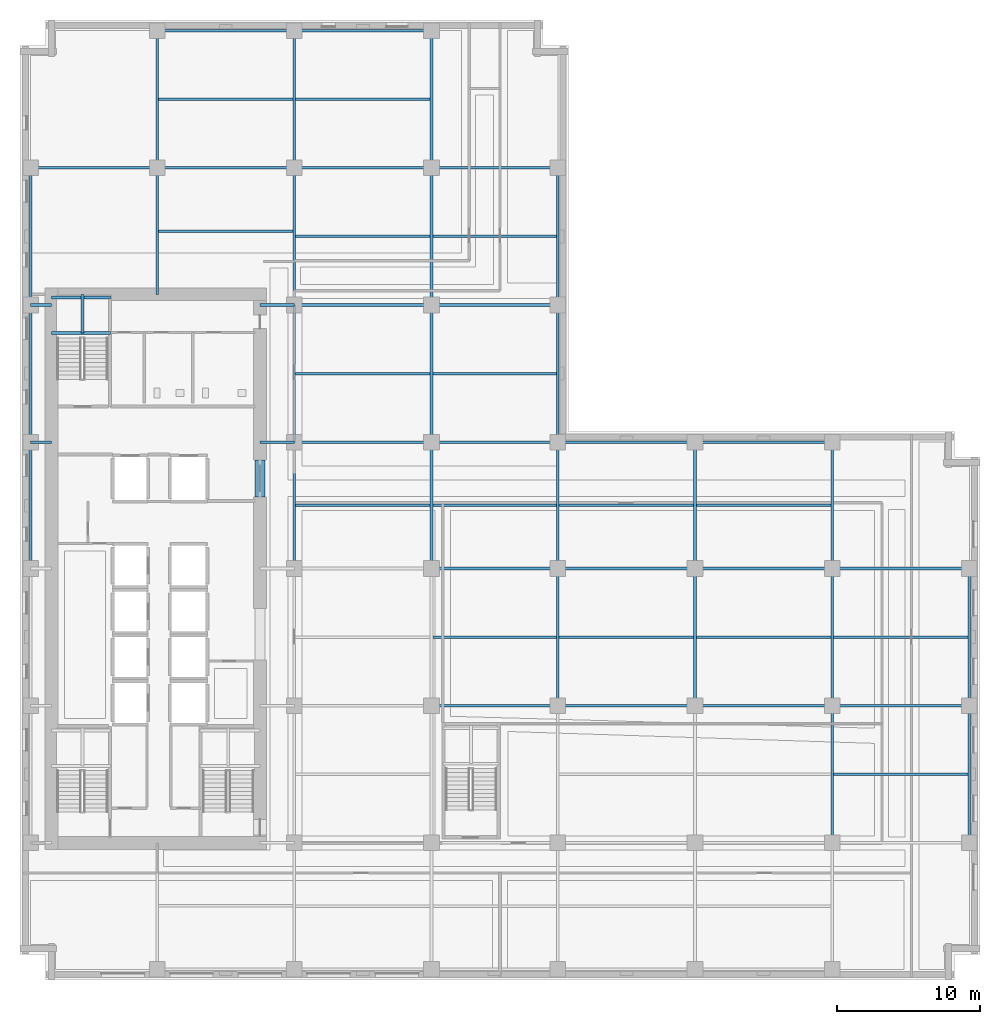
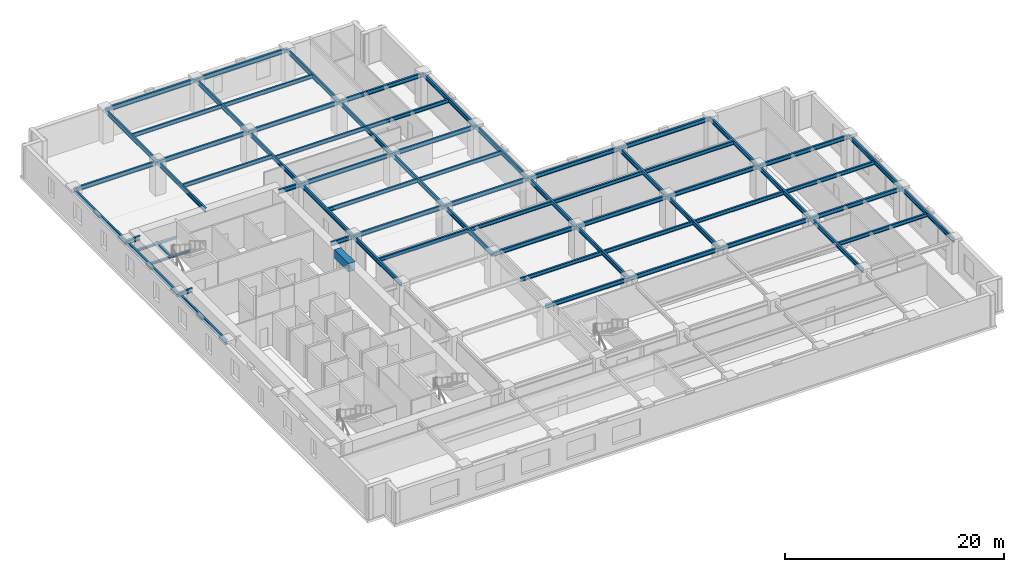
# One storey, part 2 of 13: 68 beams.
"""IFC4 building model written with IfcOpenShell, lengths in metres."""

from ifc_helpers import new_model, si_unit, direction, frame, origin, origin_2d, place, context, subcontext, project, spatial, rectangle, i_section, extrude, material, material_profile, profile_set, type_object, element, save


model = new_model("IFC4")

# Units and contexts
model_context = context("Model", 3, precision=1e-05, world=origin(), true_north=direction((0.0, 1.0)))
body_context = subcontext(model_context, "Body", "Model", "MODEL_VIEW")
ifc_project = project(units=[si_unit("LENGTHUNIT", "METRE"), si_unit("AREAUNIT", "SQUARE_METRE"), si_unit("VOLUMEUNIT", "CUBIC_METRE"), si_unit("PLANEANGLEUNIT", "RADIAN"), si_unit("MASSUNIT", "GRAM", prefix="KILO")], contexts=[model_context])

# Site, building, storey
site_placement = place(None, origin())
site = spatial("IfcSite", under=ifc_project, at=site_placement, CompositionType="ELEMENT")
building_placement = place(site_placement, origin())
building = spatial("IfcBuilding", under=site, at=building_placement, Name="Norrvale University Quadrangle", CompositionType="ELEMENT")
storey_placement = place(building_placement, frame((0.0, 0.0, 85.0)))
storey = spatial("IfcBuildingStorey", under=building, at=storey_placement, Name="L21", CompositionType="ELEMENT", Elevation=85.0)

# Beams
ifc_material_1 = material(Name="Steel 350W", Category="steel")
ifc_material_profile_1 = material_profile(ifc_material_1, i_section(OverallWidth=0.180908203125, OverallDepth=0.4169921875, WebThickness=0.010986328125, FlangeThickness=0.018310546875, FilletRadius=0.011962890625, at=origin_2d()), Name="Steel 350W")
ifc_profile_set_1 = profile_set([ifc_material_profile_1], Name="Steel 350W")
beam_type_1 = type_object("IfcBeamType", Name="Beam Atrium W410x85", PredefinedType="BEAM", material=ifc_profile_set_1)
beam_1_placement = place(storey_placement, frame((9.697021484375, 61.64990234375, 3.33154296875), z_axis=(1.0, 0.0, 0.0), x_axis=(0.0, 1.0, 0.0)))
element("IfcBeam", 1, at=beam_1_placement, inside=storey, type_object=beam_type_1, Name="Beam Atrium W410x85 BM-L21-J079", PredefinedType="BEAM", context=body_context, shape_type="SweptSolid", body=[
    extrude(i_section(OverallWidth=0.180908203125, OverallDepth=0.4169921875, WebThickness=0.010986328125, FlangeThickness=0.018310546875, FilletRadius=0.011962890625, at=origin_2d()), origin(), (0.0, 0.0, 1.0), 9.406005859375),
])
for number, where, z_axis, x_axis, name in (
    (2, (19.297119140625, 33.22509765625, 3.33154296875), (1.0, 0.0, 0.0), (0.0, 1.0, 0.0), "Beam Atrium W410x85 BM-L21-J083"),
    (3, (19.297119140625, 42.449951171875, 3.33154296875), (1.0, 0.0, 0.0), (0.0, 1.0, 0.0), "Beam Atrium W410x85 BM-L21-J084"),
    (4, (19.297119140625, 52.050048828125, 3.33154296875), (1.0, 0.0, 0.0), (0.0, 1.0, 0.0), "Beam Atrium W410x85 BM-L21-J085"),
    (5, (19.297119140625, 61.64990234375, 3.33154296875), (1.0, 0.0, 0.0), (0.0, 1.0, 0.0), "Beam Atrium W410x85 BM-L21-J086"),
):
    element("IfcBeam", number, at=place(storey_placement, frame(where, z_axis=z_axis, x_axis=x_axis)), inside=storey, type_object=beam_type_1, Name=name, PredefinedType="BEAM", context=body_context, shape_type="SweptSolid", body=[
        extrude(i_section(OverallWidth=0.180908203125, OverallDepth=0.4169921875, WebThickness=0.010986328125, FlangeThickness=0.018310546875, FilletRadius=0.011962890625, at=origin_2d()), origin(), (0.0, 0.0, 1.0), 9.40576171875),
    ])
for number, where, z_axis, x_axis, name in (
    (6, (28.89697265625, 24.0, 3.33154296875), (1.0, 0.0, 0.0), (0.0, 1.0, 0.0), "Beam Atrium W410x85 BM-L21-J088"),
    (7, (28.89697265625, 33.22509765625, 3.33154296875), (1.0, 0.0, 0.0), (0.0, 1.0, 0.0), "Beam Atrium W410x85 BM-L21-J089"),
    (8, (28.89697265625, 42.449951171875, 3.33154296875), (1.0, 0.0, 0.0), (0.0, 1.0, 0.0), "Beam Atrium W410x85 BM-L21-J090"),
    (9, (28.89697265625, 52.050048828125, 3.33154296875), (1.0, 0.0, 0.0), (0.0, 1.0, 0.0), "Beam Atrium W410x85 BM-L21-J091"),
):
    element("IfcBeam", number, at=place(storey_placement, frame(where, z_axis=z_axis, x_axis=x_axis)), inside=storey, type_object=beam_type_1, Name=name, PredefinedType="BEAM", context=body_context, shape_type="SweptSolid", body=[
        extrude(i_section(OverallWidth=0.180908203125, OverallDepth=0.4169921875, WebThickness=0.010986328125, FlangeThickness=0.018310546875, FilletRadius=0.011962890625, at=origin_2d()), origin(), (0.0, 0.0, 1.0), 8.656005859375),
    ])
for number, where, z_axis, x_axis, name in (
    (10, (37.7470703125, 24.0, 3.33154296875), (1.0, 0.0, 0.0), (0.0, 1.0, 0.0), "Beam Atrium W410x85 BM-L21-J094"),
    (11, (37.7470703125, 33.22509765625, 3.33154296875), (1.0, 0.0, 0.0), (0.0, 1.0, 0.0), "Beam Atrium W410x85 BM-L21-J095"),
    (12, (47.346923828125, 24.0, 3.33154296875), (1.0, 0.0, 0.0), (0.0, 1.0, 0.0), "Beam Atrium W410x85 BM-L21-J098"),
    (13, (47.346923828125, 33.22509765625, 3.33154296875), (1.0, 0.0, 0.0), (0.0, 1.0, 0.0), "Beam Atrium W410x85 BM-L21-J099"),
    (14, (56.947021484375, 14.39990234375, 3.33154296875), (1.0, 0.0, 0.0), (0.0, 1.0, 0.0), "Beam Atrium W410x85 BM-L21-J100"),
    (15, (56.947021484375, 24.0, 3.33154296875), (1.0, 0.0, 0.0), (0.0, 1.0, 0.0), "Beam Atrium W410x85 BM-L21-J101"),
    (16, (9.697021484375, 52.39990234375, 3.33154296875), (1.0, 0.0, 0.0), (0.0, 1.0, 0.0), "Beam Atrium W410x85 BM-L21-JCN105"),
):
    element("IfcBeam", number, at=place(storey_placement, frame(where, z_axis=z_axis, x_axis=x_axis)), inside=storey, type_object=beam_type_1, Name=name, PredefinedType="BEAM", context=body_context, shape_type="SweptSolid", body=[
        extrude(i_section(OverallWidth=0.180908203125, OverallDepth=0.4169921875, WebThickness=0.010986328125, FlangeThickness=0.018310546875, FilletRadius=0.011962890625, at=origin_2d()), origin(), (0.0, 0.0, 1.0), 9.406005859375),
    ])
ifc_material_2 = material(Name="Concrete C80/95", Category="concrete")
ifc_material_profile_2 = material_profile(ifc_material_2, rectangle(XDim=0.699951171875, YDim=0.949951171875, at=origin_2d()), Name="Concrete C80/95")
ifc_profile_set_2 = profile_set([ifc_material_profile_2], Name="Concrete C80/95")
beam_type_2 = type_object("IfcBeamType", Name="Beam Core Link 700x950", PredefinedType="LINTEL", material=ifc_profile_set_2)
beam_2_placement = place(storey_placement, frame((16.800048828125, 33.800048828125, 3.06494140625), z_axis=(0.0, 1.0, 0.0), x_axis=(-1.0, 0.0, 0.0)))
element("IfcBeam", 17, at=beam_2_placement, inside=storey, type_object=beam_type_2, Name="Core Coupling Lintel Beam L21-2", PredefinedType="LINTEL", context=body_context, shape_type="SweptSolid", body=[
    extrude(rectangle(XDim=0.699951171875, YDim=0.949951171875, at=origin_2d()), origin(), (0.0, 0.0, 1.0), 2.599853515625),
])
ifc_material_profile_3 = material_profile(ifc_material_1, i_section(OverallWidth=0.194091796875, OverallDepth=0.468994140625, WebThickness=0.0126953125, FlangeThickness=0.0205078125, FilletRadius=0.012939453125, at=origin_2d()), Name="Steel 350W")
ifc_profile_set_3 = profile_set([ifc_material_profile_3], Name="Steel 350W")
beam_type_3 = type_object("IfcBeamType", Name="Beam Floor W460x106", PredefinedType="BEAM", material=ifc_profile_set_3)
beam_3_placement = place(storey_placement, frame((28.800048828125, 19.199951171875, 3.305419921875), z_axis=(1.0, 0.0, 0.0), x_axis=(0.0, 1.0, 0.0)))
element("IfcBeam", 18, at=beam_3_placement, inside=storey, type_object=beam_type_3, Name="Beam Floor W460x106 BM-L21-GX012", PredefinedType="BEAM", context=body_context, shape_type="SweptSolid", body=[
    extrude(i_section(OverallWidth=0.194091796875, OverallDepth=0.468994140625, WebThickness=0.0126953125, FlangeThickness=0.0205078125, FilletRadius=0.012939453125, at=origin_2d()), origin(), (0.0, 0.0, 1.0), 8.849853515625),
])
for number, where, z_axis, x_axis, name in (
    (19, (37.64990234375, 19.199951171875, 3.305419921875), (1.0, 0.0, 0.0), (0.0, 1.0, 0.0), "Beam Floor W460x106 BM-L21-GX013"),
    (20, (47.25, 19.199951171875, 3.305419921875), (1.0, 0.0, 0.0), (0.0, 1.0, 0.0), "Beam Floor W460x106 BM-L21-GX014"),
):
    element("IfcBeam", number, at=place(storey_placement, frame(where, z_axis=z_axis, x_axis=x_axis)), inside=storey, type_object=beam_type_3, Name=name, PredefinedType="BEAM", context=body_context, shape_type="SweptSolid", body=[
        extrude(i_section(OverallWidth=0.194091796875, OverallDepth=0.468994140625, WebThickness=0.0126953125, FlangeThickness=0.0205078125, FilletRadius=0.012939453125, at=origin_2d()), origin(), (0.0, 0.0, 1.0), 9.60009765625),
    ])
beam_4_placement = place(storey_placement, frame((56.85009765625, 19.199951171875, 3.305419921875), z_axis=(1.0, 0.0, 0.0), x_axis=(0.0, 1.0, 0.0)))
element("IfcBeam", 21, at=beam_4_placement, inside=storey, type_object=beam_type_3, Name="Beam Floor W460x106 BM-L21-GX015", PredefinedType="BEAM", context=body_context, shape_type="SweptSolid", body=[
    extrude(i_section(OverallWidth=0.194091796875, OverallDepth=0.468994140625, WebThickness=0.0126953125, FlangeThickness=0.0205078125, FilletRadius=0.012939453125, at=origin_2d()), origin(), (0.0, 0.0, 1.0), 9.599853515625),
])
beam_5_placement = place(storey_placement, frame((28.800048828125, 28.800048828125, 3.305419921875), z_axis=(1.0, 0.0, 0.0), x_axis=(0.0, 1.0, 0.0)))
element("IfcBeam", 22, at=beam_5_placement, inside=storey, type_object=beam_type_3, Name="Beam Floor W460x106 BM-L21-GX017", PredefinedType="BEAM", context=body_context, shape_type="SweptSolid", body=[
    extrude(i_section(OverallWidth=0.194091796875, OverallDepth=0.468994140625, WebThickness=0.0126953125, FlangeThickness=0.0205078125, FilletRadius=0.012939453125, at=origin_2d()), origin(), (0.0, 0.0, 1.0), 8.849853515625),
])
for number, where, z_axis, x_axis, name in (
    (23, (37.64990234375, 28.800048828125, 3.305419921875), (1.0, 0.0, 0.0), (0.0, 1.0, 0.0), "Beam Floor W460x106 BM-L21-GX018"),
    (24, (47.25, 28.800048828125, 3.305419921875), (1.0, 0.0, 0.0), (0.0, 1.0, 0.0), "Beam Floor W460x106 BM-L21-GX019"),
):
    element("IfcBeam", number, at=place(storey_placement, frame(where, z_axis=z_axis, x_axis=x_axis)), inside=storey, type_object=beam_type_3, Name=name, PredefinedType="BEAM", context=body_context, shape_type="SweptSolid", body=[
        extrude(i_section(OverallWidth=0.194091796875, OverallDepth=0.468994140625, WebThickness=0.0126953125, FlangeThickness=0.0205078125, FilletRadius=0.012939453125, at=origin_2d()), origin(), (0.0, 0.0, 1.0), 9.60009765625),
    ])
beam_6_placement = place(storey_placement, frame((56.85009765625, 28.800048828125, 3.305419921875), z_axis=(1.0, 0.0, 0.0), x_axis=(0.0, 1.0, 0.0)))
element("IfcBeam", 25, at=beam_6_placement, inside=storey, type_object=beam_type_3, Name="Beam Floor W460x106 BM-L21-GX020", PredefinedType="BEAM", context=body_context, shape_type="SweptSolid", body=[
    extrude(i_section(OverallWidth=0.194091796875, OverallDepth=0.468994140625, WebThickness=0.0126953125, FlangeThickness=0.0205078125, FilletRadius=0.012939453125, at=origin_2d()), origin(), (0.0, 0.0, 1.0), 9.599853515625),
])
beam_7_placement = place(storey_placement, frame((19.199951171875, 37.64990234375, 3.305419921875), z_axis=(1.0, 0.0, 0.0), x_axis=(0.0, 1.0, 0.0)))
element("IfcBeam", 26, at=beam_7_placement, inside=storey, type_object=beam_type_3, Name="Beam Floor W460x106 BM-L21-GX021", PredefinedType="BEAM", context=body_context, shape_type="SweptSolid", body=[
    extrude(i_section(OverallWidth=0.194091796875, OverallDepth=0.468994140625, WebThickness=0.0126953125, FlangeThickness=0.0205078125, FilletRadius=0.012939453125, at=origin_2d()), origin(), (0.0, 0.0, 1.0), 9.60009765625),
])
beam_8_placement = place(storey_placement, frame((28.800048828125, 37.64990234375, 3.305419921875), z_axis=(1.0, 0.0, 0.0), x_axis=(0.0, 1.0, 0.0)))
element("IfcBeam", 27, at=beam_8_placement, inside=storey, type_object=beam_type_3, Name="Beam Floor W460x106 BM-L21-GX022", PredefinedType="BEAM", context=body_context, shape_type="SweptSolid", body=[
    extrude(i_section(OverallWidth=0.194091796875, OverallDepth=0.468994140625, WebThickness=0.0126953125, FlangeThickness=0.0205078125, FilletRadius=0.012939453125, at=origin_2d()), origin(), (0.0, 0.0, 1.0), 8.849853515625),
])
for number, where, z_axis, x_axis, name in (
    (28, (37.64990234375, 37.64990234375, 3.305419921875), (1.0, 0.0, 0.0), (0.0, 1.0, 0.0), "Beam Floor W460x106 BM-L21-GX023"),
    (29, (47.25, 37.64990234375, 3.305419921875), (1.0, 0.0, 0.0), (0.0, 1.0, 0.0), "Beam Floor W460x106 BM-L21-GX024"),
    (30, (19.199951171875, 47.25, 3.305419921875), (1.0, 0.0, 0.0), (0.0, 1.0, 0.0), "Beam Floor W460x106 BM-L21-GX025"),
):
    element("IfcBeam", number, at=place(storey_placement, frame(where, z_axis=z_axis, x_axis=x_axis)), inside=storey, type_object=beam_type_3, Name=name, PredefinedType="BEAM", context=body_context, shape_type="SweptSolid", body=[
        extrude(i_section(OverallWidth=0.194091796875, OverallDepth=0.468994140625, WebThickness=0.0126953125, FlangeThickness=0.0205078125, FilletRadius=0.012939453125, at=origin_2d()), origin(), (0.0, 0.0, 1.0), 9.60009765625),
    ])
beam_9_placement = place(storey_placement, frame((28.800048828125, 47.25, 3.305419921875), z_axis=(1.0, 0.0, 0.0), x_axis=(0.0, 1.0, 0.0)))
element("IfcBeam", 31, at=beam_9_placement, inside=storey, type_object=beam_type_3, Name="Beam Floor W460x106 BM-L21-GX026", PredefinedType="BEAM", context=body_context, shape_type="SweptSolid", body=[
    extrude(i_section(OverallWidth=0.194091796875, OverallDepth=0.468994140625, WebThickness=0.0126953125, FlangeThickness=0.0205078125, FilletRadius=0.012939453125, at=origin_2d()), origin(), (0.0, 0.0, 1.0), 8.849853515625),
])
beam_10_placement = place(storey_placement, frame((0.75, 56.85009765625, 3.305419921875), z_axis=(1.0, 0.0, 0.0), x_axis=(0.0, 1.0, 0.0)))
element("IfcBeam", 32, at=beam_10_placement, inside=storey, type_object=beam_type_3, Name="Beam Floor W460x106 BM-L21-GX027", PredefinedType="BEAM", context=body_context, shape_type="SweptSolid", body=[
    extrude(i_section(OverallWidth=0.194091796875, OverallDepth=0.468994140625, WebThickness=0.0126953125, FlangeThickness=0.0205078125, FilletRadius=0.012939453125, at=origin_2d()), origin(), (0.0, 0.0, 1.0), 8.85009765625),
])
beam_11_placement = place(storey_placement, frame((9.60009765625, 56.85009765625, 3.305419921875), z_axis=(1.0, 0.0, 0.0), x_axis=(0.0, 1.0, 0.0)))
element("IfcBeam", 33, at=beam_11_placement, inside=storey, type_object=beam_type_3, Name="Beam Floor W460x106 BM-L21-GX028", PredefinedType="BEAM", context=body_context, shape_type="SweptSolid", body=[
    extrude(i_section(OverallWidth=0.194091796875, OverallDepth=0.468994140625, WebThickness=0.0126953125, FlangeThickness=0.0205078125, FilletRadius=0.012939453125, at=origin_2d()), origin(), (0.0, 0.0, 1.0), 9.599853515625),
])
beam_12_placement = place(storey_placement, frame((19.199951171875, 56.85009765625, 3.305419921875), z_axis=(1.0, 0.0, 0.0), x_axis=(0.0, 1.0, 0.0)))
element("IfcBeam", 34, at=beam_12_placement, inside=storey, type_object=beam_type_3, Name="Beam Floor W460x106 BM-L21-GX029", PredefinedType="BEAM", context=body_context, shape_type="SweptSolid", body=[
    extrude(i_section(OverallWidth=0.194091796875, OverallDepth=0.468994140625, WebThickness=0.0126953125, FlangeThickness=0.0205078125, FilletRadius=0.012939453125, at=origin_2d()), origin(), (0.0, 0.0, 1.0), 9.60009765625),
])
beam_13_placement = place(storey_placement, frame((28.800048828125, 56.85009765625, 3.305419921875), z_axis=(1.0, 0.0, 0.0), x_axis=(0.0, 1.0, 0.0)))
element("IfcBeam", 35, at=beam_13_placement, inside=storey, type_object=beam_type_3, Name="Beam Floor W460x106 BM-L21-GX030", PredefinedType="BEAM", context=body_context, shape_type="SweptSolid", body=[
    extrude(i_section(OverallWidth=0.194091796875, OverallDepth=0.468994140625, WebThickness=0.0126953125, FlangeThickness=0.0205078125, FilletRadius=0.012939453125, at=origin_2d()), origin(), (0.0, 0.0, 1.0), 8.849853515625),
])
beam_14_placement = place(storey_placement, frame((9.60009765625, 66.449951171875, 3.305419921875), z_axis=(1.0, 0.0, 0.0), x_axis=(0.0, 1.0, 0.0)))
element("IfcBeam", 36, at=beam_14_placement, inside=storey, type_object=beam_type_3, Name="Beam Floor W460x106 BM-L21-GX031", PredefinedType="BEAM", context=body_context, shape_type="SweptSolid", body=[
    extrude(i_section(OverallWidth=0.194091796875, OverallDepth=0.468994140625, WebThickness=0.0126953125, FlangeThickness=0.0205078125, FilletRadius=0.012939453125, at=origin_2d()), origin(), (0.0, 0.0, 1.0), 9.599853515625),
])
beam_15_placement = place(storey_placement, frame((19.199951171875, 66.449951171875, 3.305419921875), z_axis=(1.0, 0.0, 0.0), x_axis=(0.0, 1.0, 0.0)))
element("IfcBeam", 37, at=beam_15_placement, inside=storey, type_object=beam_type_3, Name="Beam Floor W460x106 BM-L21-GX032", PredefinedType="BEAM", context=body_context, shape_type="SweptSolid", body=[
    extrude(i_section(OverallWidth=0.194091796875, OverallDepth=0.468994140625, WebThickness=0.0126953125, FlangeThickness=0.0205078125, FilletRadius=0.012939453125, at=origin_2d()), origin(), (0.0, 0.0, 1.0), 9.60009765625),
])
beam_16_placement = place(storey_placement, frame((0.75, 28.800048828125, 3.305419921875), z_axis=(0.0, 1.0, 0.0), x_axis=(-1.0, 0.0, 0.0)))
element("IfcBeam", 38, at=beam_16_placement, inside=storey, type_object=beam_type_3, Name="Beam Floor W460x106 BM-L21-GY035", PredefinedType="BEAM", context=body_context, shape_type="SweptSolid", body=[
    extrude(i_section(OverallWidth=0.194091796875, OverallDepth=0.468994140625, WebThickness=0.0126953125, FlangeThickness=0.0205078125, FilletRadius=0.012939453125, at=origin_2d()), origin(), (0.0, 0.0, 1.0), 8.849853515625),
])
for number, where, z_axis, x_axis, name in (
    (39, (0.75, 37.64990234375, 3.305419921875), (0.0, 1.0, 0.0), (-1.0, 0.0, 0.0), "Beam Floor W460x106 BM-L21-GY036"),
    (40, (0.75, 47.25, 3.305419921875), (0.0, 1.0, 0.0), (-1.0, 0.0, 0.0), "Beam Floor W460x106 BM-L21-GY037"),
):
    element("IfcBeam", number, at=place(storey_placement, frame(where, z_axis=z_axis, x_axis=x_axis)), inside=storey, type_object=beam_type_3, Name=name, PredefinedType="BEAM", context=body_context, shape_type="SweptSolid", body=[
        extrude(i_section(OverallWidth=0.194091796875, OverallDepth=0.468994140625, WebThickness=0.0126953125, FlangeThickness=0.0205078125, FilletRadius=0.012939453125, at=origin_2d()), origin(), (0.0, 0.0, 1.0), 9.60009765625),
    ])
beam_17_placement = place(storey_placement, frame((9.60009765625, 56.85009765625, 3.305419921875), z_axis=(0.0, 1.0, 0.0), x_axis=(-1.0, 0.0, 0.0)))
element("IfcBeam", 41, at=beam_17_placement, inside=storey, type_object=beam_type_3, Name="Beam Floor W460x106 BM-L21-GY038", PredefinedType="BEAM", context=body_context, shape_type="SweptSolid", body=[
    extrude(i_section(OverallWidth=0.194091796875, OverallDepth=0.468994140625, WebThickness=0.0126953125, FlangeThickness=0.0205078125, FilletRadius=0.012939453125, at=origin_2d()), origin(), (0.0, 0.0, 1.0), 9.599853515625),
])
beam_18_placement = place(storey_placement, frame((19.199951171875, 28.800048828125, 3.305419921875), z_axis=(0.0, 1.0, 0.0), x_axis=(-1.0, 0.0, 0.0)))
element("IfcBeam", 42, at=beam_18_placement, inside=storey, type_object=beam_type_3, Name="Beam Floor W460x106 BM-L21-GY042", PredefinedType="BEAM", context=body_context, shape_type="SweptSolid", body=[
    extrude(i_section(OverallWidth=0.194091796875, OverallDepth=0.468994140625, WebThickness=0.0126953125, FlangeThickness=0.0205078125, FilletRadius=0.012939453125, at=origin_2d()), origin(), (0.0, 0.0, 1.0), 8.849853515625),
])
for number, where, z_axis, x_axis, name in (
    (43, (19.199951171875, 37.64990234375, 3.305419921875), (0.0, 1.0, 0.0), (-1.0, 0.0, 0.0), "Beam Floor W460x106 BM-L21-GY043"),
    (44, (19.199951171875, 47.25, 3.305419921875), (0.0, 1.0, 0.0), (-1.0, 0.0, 0.0), "Beam Floor W460x106 BM-L21-GY044"),
):
    element("IfcBeam", number, at=place(storey_placement, frame(where, z_axis=z_axis, x_axis=x_axis)), inside=storey, type_object=beam_type_3, Name=name, PredefinedType="BEAM", context=body_context, shape_type="SweptSolid", body=[
        extrude(i_section(OverallWidth=0.194091796875, OverallDepth=0.468994140625, WebThickness=0.0126953125, FlangeThickness=0.0205078125, FilletRadius=0.012939453125, at=origin_2d()), origin(), (0.0, 0.0, 1.0), 9.60009765625),
    ])
beam_19_placement = place(storey_placement, frame((19.199951171875, 56.85009765625, 3.305419921875), z_axis=(0.0, 1.0, 0.0), x_axis=(-1.0, 0.0, 0.0)))
element("IfcBeam", 45, at=beam_19_placement, inside=storey, type_object=beam_type_3, Name="Beam Floor W460x106 BM-L21-GY045", PredefinedType="BEAM", context=body_context, shape_type="SweptSolid", body=[
    extrude(i_section(OverallWidth=0.194091796875, OverallDepth=0.468994140625, WebThickness=0.0126953125, FlangeThickness=0.0205078125, FilletRadius=0.012939453125, at=origin_2d()), origin(), (0.0, 0.0, 1.0), 9.599853515625),
])
beam_20_placement = place(storey_placement, frame((28.800048828125, 28.800048828125, 3.305419921875), z_axis=(0.0, 1.0, 0.0), x_axis=(-1.0, 0.0, 0.0)))
element("IfcBeam", 46, at=beam_20_placement, inside=storey, type_object=beam_type_3, Name="Beam Floor W460x106 BM-L21-GY049", PredefinedType="BEAM", context=body_context, shape_type="SweptSolid", body=[
    extrude(i_section(OverallWidth=0.194091796875, OverallDepth=0.468994140625, WebThickness=0.0126953125, FlangeThickness=0.0205078125, FilletRadius=0.012939453125, at=origin_2d()), origin(), (0.0, 0.0, 1.0), 8.849853515625),
])
for number, where, z_axis, x_axis, name in (
    (47, (28.800048828125, 37.64990234375, 3.305419921875), (0.0, 1.0, 0.0), (-1.0, 0.0, 0.0), "Beam Floor W460x106 BM-L21-GY050"),
    (48, (28.800048828125, 47.25, 3.305419921875), (0.0, 1.0, 0.0), (-1.0, 0.0, 0.0), "Beam Floor W460x106 BM-L21-GY051"),
):
    element("IfcBeam", number, at=place(storey_placement, frame(where, z_axis=z_axis, x_axis=x_axis)), inside=storey, type_object=beam_type_3, Name=name, PredefinedType="BEAM", context=body_context, shape_type="SweptSolid", body=[
        extrude(i_section(OverallWidth=0.194091796875, OverallDepth=0.468994140625, WebThickness=0.0126953125, FlangeThickness=0.0205078125, FilletRadius=0.012939453125, at=origin_2d()), origin(), (0.0, 0.0, 1.0), 9.60009765625),
    ])
beam_21_placement = place(storey_placement, frame((28.800048828125, 56.85009765625, 3.305419921875), z_axis=(0.0, 1.0, 0.0), x_axis=(-1.0, 0.0, 0.0)))
element("IfcBeam", 49, at=beam_21_placement, inside=storey, type_object=beam_type_3, Name="Beam Floor W460x106 BM-L21-GY052", PredefinedType="BEAM", context=body_context, shape_type="SweptSolid", body=[
    extrude(i_section(OverallWidth=0.194091796875, OverallDepth=0.468994140625, WebThickness=0.0126953125, FlangeThickness=0.0205078125, FilletRadius=0.012939453125, at=origin_2d()), origin(), (0.0, 0.0, 1.0), 9.599853515625),
])
beam_22_placement = place(storey_placement, frame((37.64990234375, 19.199951171875, 3.305419921875), z_axis=(0.0, 1.0, 0.0), x_axis=(-1.0, 0.0, 0.0)))
element("IfcBeam", 50, at=beam_22_placement, inside=storey, type_object=beam_type_3, Name="Beam Floor W460x106 BM-L21-GY055", PredefinedType="BEAM", context=body_context, shape_type="SweptSolid", body=[
    extrude(i_section(OverallWidth=0.194091796875, OverallDepth=0.468994140625, WebThickness=0.0126953125, FlangeThickness=0.0205078125, FilletRadius=0.012939453125, at=origin_2d()), origin(), (0.0, 0.0, 1.0), 9.60009765625),
])
beam_23_placement = place(storey_placement, frame((37.64990234375, 28.800048828125, 3.305419921875), z_axis=(0.0, 1.0, 0.0), x_axis=(-1.0, 0.0, 0.0)))
element("IfcBeam", 51, at=beam_23_placement, inside=storey, type_object=beam_type_3, Name="Beam Floor W460x106 BM-L21-GY056", PredefinedType="BEAM", context=body_context, shape_type="SweptSolid", body=[
    extrude(i_section(OverallWidth=0.194091796875, OverallDepth=0.468994140625, WebThickness=0.0126953125, FlangeThickness=0.0205078125, FilletRadius=0.012939453125, at=origin_2d()), origin(), (0.0, 0.0, 1.0), 8.849853515625),
])
for number, where, z_axis, x_axis, name in (
    (52, (37.64990234375, 37.64990234375, 3.305419921875), (0.0, 1.0, 0.0), (-1.0, 0.0, 0.0), "Beam Floor W460x106 BM-L21-GY057"),
    (53, (37.64990234375, 47.25, 3.305419921875), (0.0, 1.0, 0.0), (-1.0, 0.0, 0.0), "Beam Floor W460x106 BM-L21-GY058"),
    (54, (47.25, 19.199951171875, 3.305419921875), (0.0, 1.0, 0.0), (-1.0, 0.0, 0.0), "Beam Floor W460x106 BM-L21-GY061"),
):
    element("IfcBeam", number, at=place(storey_placement, frame(where, z_axis=z_axis, x_axis=x_axis)), inside=storey, type_object=beam_type_3, Name=name, PredefinedType="BEAM", context=body_context, shape_type="SweptSolid", body=[
        extrude(i_section(OverallWidth=0.194091796875, OverallDepth=0.468994140625, WebThickness=0.0126953125, FlangeThickness=0.0205078125, FilletRadius=0.012939453125, at=origin_2d()), origin(), (0.0, 0.0, 1.0), 9.60009765625),
    ])
beam_24_placement = place(storey_placement, frame((47.25, 28.800048828125, 3.305419921875), z_axis=(0.0, 1.0, 0.0), x_axis=(-1.0, 0.0, 0.0)))
element("IfcBeam", 55, at=beam_24_placement, inside=storey, type_object=beam_type_3, Name="Beam Floor W460x106 BM-L21-GY062", PredefinedType="BEAM", context=body_context, shape_type="SweptSolid", body=[
    extrude(i_section(OverallWidth=0.194091796875, OverallDepth=0.468994140625, WebThickness=0.0126953125, FlangeThickness=0.0205078125, FilletRadius=0.012939453125, at=origin_2d()), origin(), (0.0, 0.0, 1.0), 8.849853515625),
])
beam_25_placement = place(storey_placement, frame((56.85009765625, 9.60009765625, 3.305419921875), z_axis=(0.0, 1.0, 0.0), x_axis=(-1.0, 0.0, 0.0)))
element("IfcBeam", 56, at=beam_25_placement, inside=storey, type_object=beam_type_3, Name="Beam Floor W460x106 BM-L21-GY064", PredefinedType="BEAM", context=body_context, shape_type="SweptSolid", body=[
    extrude(i_section(OverallWidth=0.194091796875, OverallDepth=0.468994140625, WebThickness=0.0126953125, FlangeThickness=0.0205078125, FilletRadius=0.012939453125, at=origin_2d()), origin(), (0.0, 0.0, 1.0), 9.599853515625),
])
beam_26_placement = place(storey_placement, frame((56.85009765625, 19.199951171875, 3.305419921875), z_axis=(0.0, 1.0, 0.0), x_axis=(-1.0, 0.0, 0.0)))
element("IfcBeam", 57, at=beam_26_placement, inside=storey, type_object=beam_type_3, Name="Beam Floor W460x106 BM-L21-GY065", PredefinedType="BEAM", context=body_context, shape_type="SweptSolid", body=[
    extrude(i_section(OverallWidth=0.194091796875, OverallDepth=0.468994140625, WebThickness=0.0126953125, FlangeThickness=0.0205078125, FilletRadius=0.012939453125, at=origin_2d()), origin(), (0.0, 0.0, 1.0), 9.60009765625),
])
beam_27_placement = place(storey_placement, frame((56.85009765625, 28.800048828125, 3.305419921875), z_axis=(0.0, 1.0, 0.0), x_axis=(-1.0, 0.0, 0.0)))
element("IfcBeam", 58, at=beam_27_placement, inside=storey, type_object=beam_type_3, Name="Beam Floor W460x106 BM-L21-GY066", PredefinedType="BEAM", context=body_context, shape_type="SweptSolid", body=[
    extrude(i_section(OverallWidth=0.194091796875, OverallDepth=0.468994140625, WebThickness=0.0126953125, FlangeThickness=0.0205078125, FilletRadius=0.012939453125, at=origin_2d()), origin(), (0.0, 0.0, 1.0), 8.849853515625),
])
beam_28_placement = place(storey_placement, frame((66.449951171875, 9.60009765625, 3.305419921875), z_axis=(0.0, 1.0, 0.0), x_axis=(-1.0, 0.0, 0.0)))
element("IfcBeam", 59, at=beam_28_placement, inside=storey, type_object=beam_type_3, Name="Beam Floor W460x106 BM-L21-GY067", PredefinedType="BEAM", context=body_context, shape_type="SweptSolid", body=[
    extrude(i_section(OverallWidth=0.194091796875, OverallDepth=0.468994140625, WebThickness=0.0126953125, FlangeThickness=0.0205078125, FilletRadius=0.012939453125, at=origin_2d()), origin(), (0.0, 0.0, 1.0), 9.599853515625),
])
beam_29_placement = place(storey_placement, frame((66.449951171875, 19.199951171875, 3.305419921875), z_axis=(0.0, 1.0, 0.0), x_axis=(-1.0, 0.0, 0.0)))
element("IfcBeam", 60, at=beam_29_placement, inside=storey, type_object=beam_type_3, Name="Beam Floor W460x106 BM-L21-GY068", PredefinedType="BEAM", context=body_context, shape_type="SweptSolid", body=[
    extrude(i_section(OverallWidth=0.194091796875, OverallDepth=0.468994140625, WebThickness=0.0126953125, FlangeThickness=0.0205078125, FilletRadius=0.012939453125, at=origin_2d()), origin(), (0.0, 0.0, 1.0), 9.60009765625),
])
beam_30_placement = place(storey_placement, frame((0.75, 37.64990234375, 3.305419921875), z_axis=(1.0, 0.0, 0.0), x_axis=(0.0, 1.0, 0.0)))
element("IfcBeam", 61, at=beam_30_placement, inside=storey, type_object=beam_type_3, Name="Beam Floor W460x106 BM-L21-GCW075", PredefinedType="BEAM", context=body_context, shape_type="SweptSolid", body=[
    extrude(i_section(OverallWidth=0.194091796875, OverallDepth=0.468994140625, WebThickness=0.0126953125, FlangeThickness=0.0205078125, FilletRadius=0.012939453125, at=origin_2d()), origin(), (0.0, 0.0, 1.0), 1.449951171875),
])
beam_31_placement = place(storey_placement, frame((16.800048828125, 37.64990234375, 3.305419921875), z_axis=(1.0, 0.0, 0.0), x_axis=(0.0, 1.0, 0.0)))
element("IfcBeam", 62, at=beam_31_placement, inside=storey, type_object=beam_type_3, Name="Beam Floor W460x106 BM-L21-GCE076", PredefinedType="BEAM", context=body_context, shape_type="SweptSolid", body=[
    extrude(i_section(OverallWidth=0.194091796875, OverallDepth=0.468994140625, WebThickness=0.0126953125, FlangeThickness=0.0205078125, FilletRadius=0.012939453125, at=origin_2d()), origin(), (0.0, 0.0, 1.0), 2.39990234375),
])
beam_32_placement = place(storey_placement, frame((0.75, 47.25, 3.305419921875), z_axis=(1.0, 0.0, 0.0), x_axis=(0.0, 1.0, 0.0)))
element("IfcBeam", 63, at=beam_32_placement, inside=storey, type_object=beam_type_3, Name="Beam Floor W460x106 BM-L21-GCW077", PredefinedType="BEAM", context=body_context, shape_type="SweptSolid", body=[
    extrude(i_section(OverallWidth=0.194091796875, OverallDepth=0.468994140625, WebThickness=0.0126953125, FlangeThickness=0.0205078125, FilletRadius=0.012939453125, at=origin_2d()), origin(), (0.0, 0.0, 1.0), 1.449951171875),
])
beam_33_placement = place(storey_placement, frame((16.800048828125, 47.25, 3.305419921875), z_axis=(1.0, 0.0, 0.0), x_axis=(0.0, 1.0, 0.0)))
element("IfcBeam", 64, at=beam_33_placement, inside=storey, type_object=beam_type_3, Name="Beam Floor W460x106 BM-L21-GCE078", PredefinedType="BEAM", context=body_context, shape_type="SweptSolid", body=[
    extrude(i_section(OverallWidth=0.194091796875, OverallDepth=0.468994140625, WebThickness=0.0126953125, FlangeThickness=0.0205078125, FilletRadius=0.012939453125, at=origin_2d()), origin(), (0.0, 0.0, 1.0), 2.39990234375),
])
beam_34_placement = place(storey_placement, frame((9.60009765625, 48.0, 3.305419921875), z_axis=(0.0, 1.0, 0.0), x_axis=(-1.0, 0.0, 0.0)))
element("IfcBeam", 65, at=beam_34_placement, inside=storey, type_object=beam_type_3, Name="Beam Floor W460x106 BM-L21-GCN104", PredefinedType="BEAM", context=body_context, shape_type="SweptSolid", body=[
    extrude(i_section(OverallWidth=0.194091796875, OverallDepth=0.468994140625, WebThickness=0.0126953125, FlangeThickness=0.0205078125, FilletRadius=0.012939453125, at=origin_2d()), origin(), (0.0, 0.0, 1.0), 8.85009765625),
])
ifc_material_profile_4 = material_profile(ifc_material_1, i_section(OverallWidth=0.201904296875, OverallDepth=0.2470703125, WebThickness=0.00732421875, FlangeThickness=0.010986328125, FilletRadius=0.011962890625, at=origin_2d()), Name="Steel 350W")
ifc_profile_set_4 = profile_set([ifc_material_profile_4], Name="Steel 350W")
beam_type_4 = type_object("IfcBeamType", Name="Beam Stair W250x49", PredefinedType="BEAM", material=ifc_profile_set_4)
for number, where, z_axis, x_axis, name in (
    (66, (2.199951171875, 45.2900390625, 1.576416015625), (1.0, 0.0, 0.0), (0.0, 1.0, 0.0), "Stair Mid-Landing Front Beam ST-02 L21"),
    (67, (2.199951171875, 47.77001953125, 1.576416015625), (1.0, 0.0, 0.0), (0.0, 1.0, 0.0), "Stair Mid-Landing Rear Beam ST-02 L21"),
):
    element("IfcBeam", number, at=place(storey_placement, frame(where, z_axis=z_axis, x_axis=x_axis)), inside=storey, type_object=beam_type_4, Name=name, PredefinedType="BEAM", context=body_context, shape_type="SweptSolid", body=[
        extrude(i_section(OverallWidth=0.201904296875, OverallDepth=0.2470703125, WebThickness=0.00732421875, FlangeThickness=0.010986328125, FilletRadius=0.011962890625, at=origin_2d()), origin(), (0.0, 0.0, 1.0), 4.14013671875),
    ])
ifc_material_profile_5 = material_profile(ifc_material_1, i_section(OverallWidth=0.202880859375, OverallDepth=0.202880859375, WebThickness=0.007080078125, FlangeThickness=0.010986328125, FilletRadius=0.010009765625, at=origin_2d()), Name="Steel 350W")
ifc_profile_set_5 = profile_set([ifc_material_profile_5], Name="Steel 350W")
beam_type_5 = type_object("IfcBeamType", Name="Beam Trim W200x46", PredefinedType="BEAM", material=ifc_profile_set_5)
beam_35_placement = place(storey_placement, frame((4.375, 45.2900390625, 1.598388671875), z_axis=(0.0, 1.0, 0.0), x_axis=(-1.0, 0.0, 0.0)))
element("IfcBeam", 68, at=beam_35_placement, inside=storey, type_object=beam_type_5, Name="Stair Mid-Landing Cross Beam ST-02 L21", PredefinedType="BEAM", context=body_context, shape_type="SweptSolid", body=[
    extrude(i_section(OverallWidth=0.202880859375, OverallDepth=0.202880859375, WebThickness=0.007080078125, FlangeThickness=0.010986328125, FilletRadius=0.010009765625, at=origin_2d()), origin(), (0.0, 0.0, 1.0), 2.7099609375),
])

save(model, "model.ifc")
